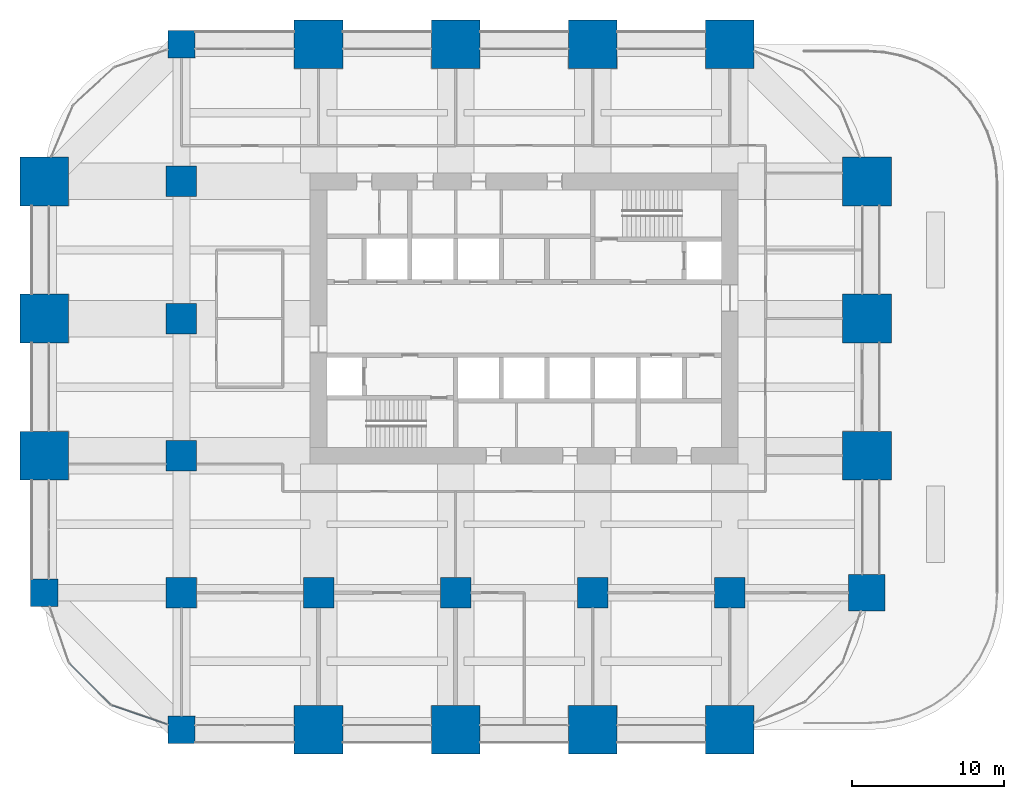
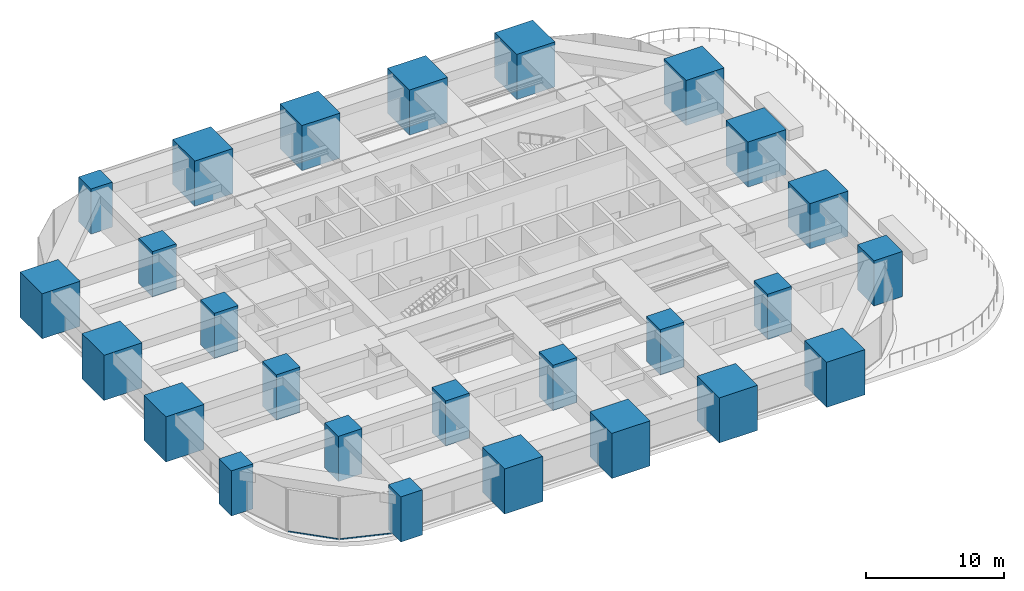
# One storey, part 1 of 35: 26 columns, 2 members, 2 elements without a shape of their own.
"""IFC4 building model written with IfcOpenShell, lengths in metres."""

from ifc_helpers import new_model, si_unit, direction, frame, origin, origin_2d, place, context, subcontext, project, spatial, rectangle, hollow_rectangle, extrude, material, material_profile, profile_set, type_object, element, aggregate, save


model = new_model("IFC4")

# Units and contexts
model_context = context("Model", 3, precision=1e-05, world=origin(), true_north=direction((0.0, 1.0)))
body_context = subcontext(model_context, "Body", "Model", "MODEL_VIEW")
ifc_project = project(units=[si_unit("LENGTHUNIT", "METRE"), si_unit("AREAUNIT", "SQUARE_METRE"), si_unit("VOLUMEUNIT", "CUBIC_METRE"), si_unit("PLANEANGLEUNIT", "RADIAN"), si_unit("MASSUNIT", "GRAM", prefix="KILO")], contexts=[model_context])

# Site, building, storey
site_placement = place(None, origin())
site = spatial("IfcSite", under=ifc_project, at=site_placement, CompositionType="ELEMENT")
building_placement = place(site_placement, origin())
building = spatial("IfcBuilding", under=site, at=building_placement, Name="Zorevar Civic Tower", CompositionType="ELEMENT")
storey_placement = place(building_placement, frame((0.0, 0.0, 162.199951171875)))
storey = spatial("IfcBuildingStorey", under=building, at=storey_placement, Name="L39", CompositionType="ELEMENT", Elevation=162.199951171875)

# Columns
ifc_material_1 = material(Name="Concrete C50/60", Category="concrete")
ifc_material_profile_1 = material_profile(ifc_material_1, rectangle(XDim=1.800048828125, YDim=1.800048828125, at=origin_2d()), Name="RC 1800x1800")
ifc_profile_set_1 = profile_set([ifc_material_profile_1], Name="Concrete C50/60")
column_type_1 = type_object("IfcColumnType", Name="Column RC 1800x1800", PredefinedType="COLUMN", material=ifc_profile_set_1)
for number, where, z_axis, x_axis, name in (
    (1, (0.0, 9.0, 0.0), (0.0, 0.0, 1.0), (1.0, 0.0, 0.0), "Column 2B L39"),
    (2, (9.0, 0.0, 0.0), (0.0, 0.0, 1.0), (1.0, 0.0, 0.0), "Column 3A L39"),
    (3, (9.0, 45.0, 0.0), (0.0, 0.0, 1.0), (1.0, 0.0, 0.0), "Column 3F L39"),
):
    element("IfcColumn", number, at=place(storey_placement, frame(where, z_axis=z_axis, x_axis=x_axis)), inside=storey, type_object=column_type_1, Name=name, PredefinedType="COLUMN", context=body_context, shape_type="SweptSolid", body=[
        extrude(rectangle(XDim=1.800048828125, YDim=1.800048828125, at=origin_2d()), origin(), (0.0, 0.0, 1.0), 4.0),
    ])
ifc_material_2 = material(Name="Concrete C50/60", Category="concrete")
ifc_material_profile_2 = material_profile(ifc_material_2, rectangle(XDim=2.0, YDim=2.0, at=origin_2d()), Name="RC 2000x2000")
ifc_profile_set_2 = profile_set([ifc_material_profile_2], Name="Concrete C50/60")
column_type_2 = type_object("IfcColumnType", Name="Column RC 2000x2000", PredefinedType="COLUMN", material=ifc_profile_set_2)
for number, where, z_axis, x_axis, name in (
    (4, (9.0, 9.0, 0.0), (0.0, 0.0, 1.0), (1.0, 0.0, 0.0), "Column 3B L39"),
    (5, (9.0, 18.0, 0.0), (0.0, 0.0, 1.0), (1.0, 0.0, 0.0), "Column 3C L39"),
    (6, (9.0, 27.0, 0.0), (0.0, 0.0, 1.0), (1.0, 0.0, 0.0), "Column 3D L39"),
    (7, (9.0, 36.0, 0.0), (0.0, 0.0, 1.0), (1.0, 0.0, 0.0), "Column 3E L39"),
    (8, (18.0, 9.0, 0.0), (0.0, 0.0, 1.0), (1.0, 0.0, 0.0), "Column 4B L39"),
    (9, (27.0, 9.0, 0.0), (0.0, 0.0, 1.0), (1.0, 0.0, 0.0), "Column 5B L39"),
    (10, (36.0, 9.0, 0.0), (0.0, 0.0, 1.0), (1.0, 0.0, 0.0), "Column 6B L39"),
    (11, (45.0, 9.0, 0.0), (0.0, 0.0, 1.0), (1.0, 0.0, 0.0), "Column 7B L39"),
):
    element("IfcColumn", number, at=place(storey_placement, frame(where, z_axis=z_axis, x_axis=x_axis)), inside=storey, type_object=column_type_2, Name=name, PredefinedType="COLUMN", context=body_context, shape_type="SweptSolid", body=[
        extrude(rectangle(XDim=2.0, YDim=2.0, at=origin_2d()), origin(), (0.0, 0.0, 1.0), 4.0),
    ])
ifc_material_3 = material(Name="Concrete C50/60", Category="concrete")
ifc_material_profile_3 = material_profile(ifc_material_3, rectangle(XDim=2.39990234375, YDim=2.39990234375, at=origin_2d()), Name="RC 2400x2400")
ifc_profile_set_3 = profile_set([ifc_material_profile_3], Name="Concrete C50/60")
column_type_3 = type_object("IfcColumnType", Name="Column RC 2400x2400", PredefinedType="COLUMN", material=ifc_profile_set_3)
column_placement = place(storey_placement, frame((54.0, 9.0, 0.0), z_axis=(0.0, 0.0, 1.0), x_axis=(1.0, 0.0, 0.0)))
element("IfcColumn", 12, at=column_placement, inside=storey, type_object=column_type_3, Name="Column 8B L39", PredefinedType="COLUMN", context=body_context, shape_type="SweptSolid", body=[
    extrude(rectangle(XDim=2.39990234375, YDim=2.39990234375, at=origin_2d()), origin(), (0.0, 0.0, 1.0), 4.0),
])
ifc_material_4 = material(Name="Concrete C50/60", Category="concrete")
ifc_material_profile_4 = material_profile(ifc_material_4, rectangle(XDim=3.199951171875, YDim=3.199951171875, at=origin_2d()), Name="RC 3200x3200")
ifc_profile_set_4 = profile_set([ifc_material_profile_4], Name="Concrete C50/60")
column_type_4 = type_object("IfcColumnType", Name="Mega column RC 3200x3200", PredefinedType="COLUMN", material=ifc_profile_set_4)
for number, where, z_axis, x_axis, name in (
    (13, (0.0, 18.0, 0.0), (0.0, 0.0, 1.0), (1.0, 0.0, 0.0), "Column 2C L39"),
    (14, (0.0, 27.0, 0.0), (0.0, 0.0, 1.0), (1.0, 0.0, 0.0), "Column 2D L39"),
    (15, (0.0, 36.0, 0.0), (0.0, 0.0, 1.0), (1.0, 0.0, 0.0), "Column 2E L39"),
    (16, (18.0, 0.0, 0.0), (0.0, 0.0, 1.0), (1.0, 0.0, 0.0), "Column 4A L39"),
    (17, (18.0, 45.0, 0.0), (0.0, 0.0, 1.0), (1.0, 0.0, 0.0), "Column 4F L39"),
    (18, (27.0, 0.0, 0.0), (0.0, 0.0, 1.0), (1.0, 0.0, 0.0), "Column 5A L39"),
    (19, (27.0, 45.0, 0.0), (0.0, 0.0, 1.0), (1.0, 0.0, 0.0), "Column 5F L39"),
    (20, (36.0, 0.0, 0.0), (0.0, 0.0, 1.0), (1.0, 0.0, 0.0), "Column 6A L39"),
    (21, (36.0, 45.0, 0.0), (0.0, 0.0, 1.0), (1.0, 0.0, 0.0), "Column 6F L39"),
    (22, (45.0, 0.0, 0.0), (0.0, 0.0, 1.0), (1.0, 0.0, 0.0), "Column 7A L39"),
    (23, (45.0, 45.0, 0.0), (0.0, 0.0, 1.0), (1.0, 0.0, 0.0), "Column 7F L39"),
    (24, (54.0, 18.0, 0.0), (0.0, 0.0, 1.0), (1.0, 0.0, 0.0), "Column 8C L39"),
    (25, (54.0, 27.0, 0.0), (0.0, 0.0, 1.0), (1.0, 0.0, 0.0), "Column 8D L39"),
    (26, (54.0, 36.0, 0.0), (0.0, 0.0, 1.0), (1.0, 0.0, 0.0), "Column 8E L39"),
):
    element("IfcColumn", number, at=place(storey_placement, frame(where, z_axis=z_axis, x_axis=x_axis)), inside=storey, type_object=column_type_4, Name=name, PredefinedType="COLUMN", context=body_context, shape_type="SweptSolid", body=[
        extrude(rectangle(XDim=3.199951171875, YDim=3.199951171875, at=origin_2d()), origin(), (0.0, 0.0, 1.0), 4.0),
    ])

# Curtain wall, member
ifc_material_5 = material(Name="Dark grey solar-control glass in black aluminium frame", Category="aluminium")
curtain_wall_type = type_object("IfcCurtainWallType", Name="Curtain wall CW4 high zone", PredefinedType="NOTDEFINED", material=ifc_material_5)
curtain_wall_1_placement = place(storey_placement, origin())
curtain_wall_1 = element("IfcCurtainWall", 27, at=curtain_wall_1_placement, inside=storey, type_object=curtain_wall_type, Name="CW4 L39", PredefinedType="NOTDEFINED")
ifc_material_6 = material(Name="Aluminium, black anodised", Category="aluminium")
ifc_material_profile_5 = material_profile(ifc_material_6, hollow_rectangle(XDim=0.06005859375, YDim=0.1201171875, WallThickness=0.0029296875, at=origin_2d()), Name="AL 120x60x3")
ifc_profile_set_5 = profile_set([ifc_material_profile_5], Name="Aluminium, black anodised")
member_type = type_object("IfcMemberType", Name="CW4 transom AL 120x60x3", PredefinedType="USERDEFINED", material=ifc_profile_set_5)
member_1_placement = place(storey_placement, frame((1.662841796875, 4.349853515625, 0.030029296875), z_axis=(0.707106781187, -0.707106781187, 0.0), x_axis=(0.707106781187, 0.707106781187, 0.0)))
member_1 = element("IfcMember", 28, at=member_1_placement, type_object=member_type, Name="CW4 sill transom", ObjectType="TRANSOM", PredefinedType="USERDEFINED", context=body_context, shape_type="SweptSolid", body=[
    extrude(hollow_rectangle(XDim=0.06005859375, YDim=0.1201171875, WallThickness=0.0029296875, at=origin_2d()), origin(), (0.0, 0.0, 1.0), 3.800048828125),
])
aggregate(curtain_wall_1, [member_1])

curtain_wall_2_placement = place(storey_placement, origin())
curtain_wall_2 = element("IfcCurtainWall", 29, at=curtain_wall_2_placement, inside=storey, type_object=curtain_wall_type, Name="CW4 L39", PredefinedType="NOTDEFINED")
member_2_placement = place(storey_placement, frame((4.44921875, 1.600830078125, 0.030029296875), z_axis=(0.945752620422, -0.324887643602, 0.0), x_axis=(0.324887643602, 0.945752620422, 0.0)))
member_2 = element("IfcMember", 30, at=member_2_placement, type_object=member_type, Name="CW4 sill transom", ObjectType="TRANSOM", PredefinedType="USERDEFINED", context=body_context, shape_type="SweptSolid", body=[
    extrude(hollow_rectangle(XDim=0.06005859375, YDim=0.1201171875, WallThickness=0.0029296875, at=origin_2d()), origin(), (0.0, 0.0, 1.0), 3.800048828125),
])
aggregate(curtain_wall_2, [member_2])

save(model, "model.ifc")
